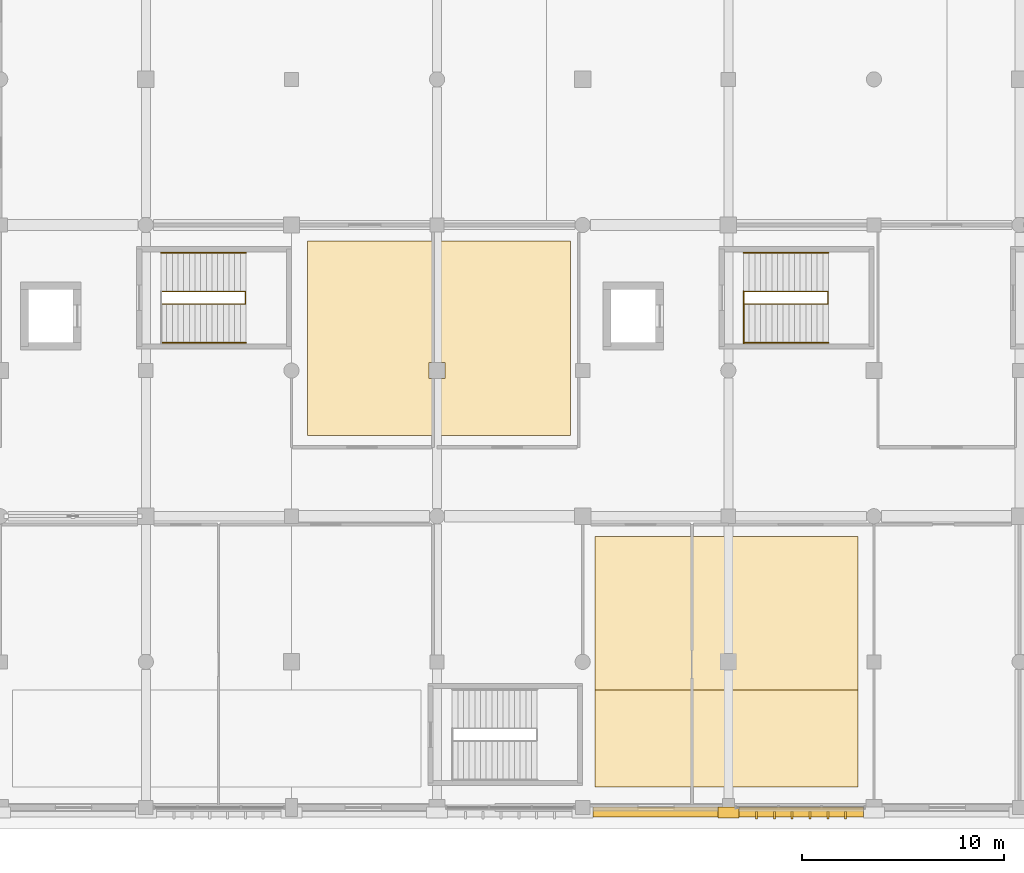
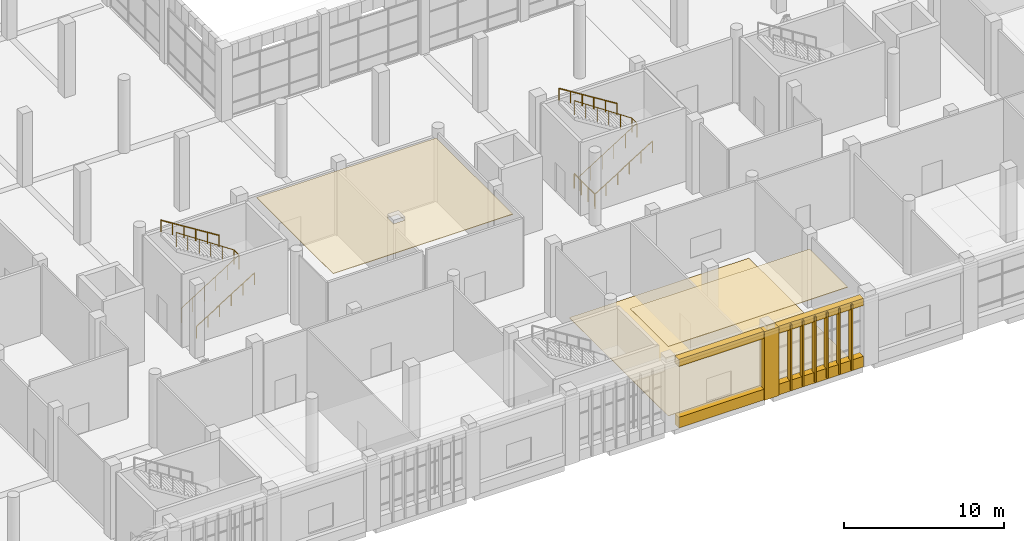
# One storey, part 65 of 80: 14 coverings, 7 railings.
"""IFC4 building model written with IfcOpenShell, lengths in metres."""

from ifc_helpers import new_model, si_unit, direction, frame, origin, origin_2d, place, context, subcontext, project, spatial, polyline, rectangle, circle, outline, extrude, material, layer, layer_set, type_object, element, save


model = new_model("IFC4")

# Units and contexts
model_context = context("Model", 3, precision=1e-05, world=origin(), true_north=direction((0.0, 1.0)))
body_context = subcontext(model_context, "Body", "Model", "MODEL_VIEW")
ifc_project = project(units=[si_unit("LENGTHUNIT", "METRE"), si_unit("AREAUNIT", "SQUARE_METRE"), si_unit("VOLUMEUNIT", "CUBIC_METRE"), si_unit("PLANEANGLEUNIT", "RADIAN"), si_unit("MASSUNIT", "GRAM", prefix="KILO")], contexts=[model_context])

# Site, building, storey
site_placement = place(None, origin())
site = spatial("IfcSite", under=ifc_project, at=site_placement, CompositionType="ELEMENT")
building_placement = place(site_placement, origin())
building = spatial("IfcBuilding", under=site, at=building_placement, Name="Sardonyx Promenade Sports Hall", CompositionType="ELEMENT")
storey_placement = place(building_placement, frame((0.0, 0.0, 5.60009765625)))
storey = spatial("IfcBuildingStorey", under=building, at=storey_placement, Name="L01", CompositionType="ELEMENT", Elevation=5.60009765625)

# Coverings
ifc_material_1 = material(Name="Perforated acoustic mineral-fibre baffle ceiling", Category="other")
ifc_layer_1 = layer(ifc_material_1, 0.0400390625)
ifc_layer_set_1 = layer_set([ifc_layer_1], Name="Cov_Ceil_Acoustic")
covering_type_1 = type_object("IfcCoveringType", Name="Cov_Ceil_Acoustic", PredefinedType="CEILING", material=ifc_layer_set_1)
covering_1_placement = place(storey_placement, frame((0.0, 0.0, 5.289794921875)))
element("IfcCovering", 1, at=covering_1_placement, inside=storey, type_object=covering_type_1, Name="Acoustic baffle ceiling CLG1 L01 #9", PredefinedType="CEILING", context=body_context, shape_type="SweptSolid", body=[
    extrude(outline(polyline([(51.0, 5.800048828125), (51.0, 1.0), (64.0, 1.0), (64.0, 5.800048828125), (51.0, 5.800048828125)])), origin(), (0.0, 0.0, 1.0), 0.0400390625),
])
covering_2_placement = place(storey_placement, frame((0.0, 0.0, 5.289794921875)))
element("IfcCovering", 2, at=covering_2_placement, inside=storey, type_object=covering_type_1, Name="Acoustic baffle ceiling CLG1 L01 #13", PredefinedType="CEILING", context=body_context, shape_type="SweptSolid", body=[
    extrude(outline(polyline([(36.800048828125, 28.0), (36.800048828125, 18.39990234375), (49.800048828125, 18.39990234375), (49.800048828125, 28.0), (36.800048828125, 28.0)]), holes=[polyline([(43.60009765625, 22.0), (43.60009765625, 21.199951171875), (42.800048828125, 21.199951171875), (42.800048828125, 22.0), (43.60009765625, 22.0)])]), origin(), (0.0, 0.0, 1.0), 0.0400390625),
])
ifc_material_2 = material(Name="Dressed Cape red sandstone ashlar", Category="masonry")
ifc_layer_2 = layer(ifc_material_2, 0.06005859375)
ifc_layer_set_2 = layer_set([ifc_layer_2], Name="Cov_Cladding_Sandstone")
covering_type_2 = type_object("IfcCoveringType", Name="Cov_Cladding_Sandstone", PredefinedType="CLADDING", material=ifc_layer_set_2)
covering_3_placement = place(storey_placement, origin())
element("IfcCovering", 3, at=covering_3_placement, inside=storey, type_object=covering_type_2, Name="South sandstone bay pier casing L01 #8", PredefinedType="CLADDING", context=body_context, shape_type="SweptSolid", body=[
    extrude(outline(polyline([(57.080078125, -0.52001953125), (58.1201171875, -0.52001953125), (58.1201171875, 0.02001953125), (57.080078125, 0.02001953125), (57.080078125, -0.52001953125)])), origin(), (0.0, 0.0, 1.0), 5.25),
])
covering_4_placement = place(storey_placement, origin())
element("IfcCovering", 4, at=covering_4_placement, inside=storey, type_object=covering_type_2, Name="South sandstone sill spandrel L01 #14", PredefinedType="CLADDING", context=body_context, shape_type="SweptSolid", body=[
    extrude(outline(polyline([(58.1201171875, -0.4599609375), (64.280029296875, -0.4599609375), (64.280029296875, 0.02001953125), (58.1201171875, 0.02001953125), (58.1201171875, -0.4599609375)])), origin(), (0.0, 0.0, 1.0), 0.81982421875),
])
covering_5_placement = place(storey_placement, frame((0.0, 0.0, 4.699951171875)))
element("IfcCovering", 5, at=covering_5_placement, inside=storey, type_object=covering_type_2, Name="South sandstone lintel frieze L01 #14", PredefinedType="CLADDING", context=body_context, shape_type="SweptSolid", body=[
    extrude(outline(polyline([(58.1201171875, -0.4599609375), (64.280029296875, -0.4599609375), (64.280029296875, 0.02001953125), (58.1201171875, 0.02001953125), (58.1201171875, -0.4599609375)])), origin(), (0.0, 0.0, 1.0), 0.550048828125),
])
covering_6_placement = place(storey_placement, origin())
element("IfcCovering", 6, at=covering_6_placement, inside=storey, type_object=covering_type_2, Name="South sandstone sill spandrel L01 #15", PredefinedType="CLADDING", context=body_context, shape_type="SweptSolid", body=[
    extrude(outline(polyline([(50.919921875, -0.4599609375), (57.080078125, -0.4599609375), (57.080078125, 0.02001953125), (50.919921875, 0.02001953125), (50.919921875, -0.4599609375)])), origin(), (0.0, 0.0, 1.0), 0.81982421875),
])
covering_7_placement = place(storey_placement, frame((0.0, 0.0, 4.699951171875)))
element("IfcCovering", 7, at=covering_7_placement, inside=storey, type_object=covering_type_2, Name="South sandstone lintel frieze L01 #15", PredefinedType="CLADDING", context=body_context, shape_type="SweptSolid", body=[
    extrude(outline(polyline([(50.919921875, -0.4599609375), (57.080078125, -0.4599609375), (57.080078125, 0.02001953125), (50.919921875, 0.02001953125), (50.919921875, -0.4599609375)])), origin(), (0.0, 0.0, 1.0), 0.550048828125),
])
ifc_material_3 = material(Name="EPDM polymeric athletic surfacing", Category="other")
ifc_layer_3 = layer(ifc_material_3, 0.02490234375)
ifc_layer_set_3 = layer_set([ifc_layer_3], Name="Cov_Floor_Athletic")
covering_type_3 = type_object("IfcCoveringType", Name="Cov_Floor_Athletic", PredefinedType="FLOORING", material=ifc_layer_set_3)
covering_8_placement = place(storey_placement, origin())
element("IfcCovering", 8, at=covering_8_placement, inside=storey, type_object=covering_type_3, Name="Athletic flooring FLR2 L01 #15", PredefinedType="FLOORING", context=body_context, shape_type="SweptSolid", body=[
    extrude(outline(polyline([(51.0, 1.0), (64.0, 1.0), (64.0, 13.39990234375), (51.0, 13.39990234375), (51.0, 1.0)])), origin(), (0.0, 0.0, 1.0), 0.02490234375),
])
ifc_material_4 = material(Name="Glulam GL28h", Category="wood")
ifc_layer_4 = layer(ifc_material_4, 0.110107421875)
ifc_layer_set_4 = layer_set([ifc_layer_4], Name="Cov_Louvre_GL28h")
covering_type_4 = type_object("IfcCoveringType", Name="Cov_Louvre_GL28h", PredefinedType="MOLDING", material=ifc_layer_set_4)
for number, where, z_axis, x_axis, name in (
    (9, (59.0, -0.3798828125, 0.10009765625), (0.0, 0.0, 1.0), (1.0, 0.0, 0.0), "Mughal jali screen mullion L01 #14-1"),
    (10, (59.8798828125, -0.3798828125, 0.10009765625), (0.0, 0.0, 1.0), (1.0, 0.0, 0.0), "Mughal jali screen mullion L01 #14-2"),
    (11, (60.760009765625, -0.3798828125, 0.10009765625), (0.0, 0.0, 1.0), (1.0, 0.0, 0.0), "Mughal jali screen mullion L01 #14-3"),
    (12, (61.639892578125, -0.3798828125, 0.10009765625), (0.0, 0.0, 1.0), (1.0, 0.0, 0.0), "Mughal jali screen mullion L01 #14-4"),
    (13, (62.52001953125, -0.3798828125, 0.10009765625), (0.0, 0.0, 1.0), (1.0, 0.0, 0.0), "Mughal jali screen mullion L01 #14-5"),
    (14, (63.39990234375, -0.3798828125, 0.10009765625), (0.0, 0.0, 1.0), (1.0, 0.0, 0.0), "Mughal jali screen mullion L01 #14-6"),
):
    element("IfcCovering", number, at=place(storey_placement, frame(where, z_axis=z_axis, x_axis=x_axis)), inside=storey, type_object=covering_type_4, Name=name, PredefinedType="MOLDING", context=body_context, shape_type="SweptSolid", body=[
        extrude(rectangle(XDim=0.10009765625, YDim=0.360107421875, at=origin_2d()), origin(), (0.0, 0.0, 1.0), 5.050048828125),
    ])

# Railings
ifc_material_5 = material(Name="Powder-coated Steel S355JR", Category="steel")
railing_type_1 = type_object("IfcRailingType", Name="Rail_Int_Guard_1100", PredefinedType="GUARDRAIL", material=ifc_material_5)
railing_1_placement = place(storey_placement, frame((29.550048828125, 24.885009765625, 0.1748046875)))
element("IfcRailing", 15, at=railing_1_placement, inside=storey, type_object=railing_type_1, Name="Stair inner well guard ST1 L01", PredefinedType="GUARDRAIL", context=body_context, shape_type="SweptSolid", body=[
    extrude(circle(Radius=0.02392578125, at=origin_2d()), frame((0.0, 0.0, 1.09619140625), z_axis=(0.846854242419, 0.0, 0.531825057794), x_axis=(0.0, 1.0, 0.0)), (0.0, 0.0, 1.0), 4.935791015625),
    extrude(circle(Radius=0.02392578125, at=origin_2d()), frame((4.179931640625, 0.0, 3.72119140625), z_axis=(0.0, 1.0, 0.0), x_axis=(-1.0, 0.0, 0.0)), (0.0, 0.0, 1.0), 0.6298828125),
    extrude(circle(Radius=0.02392578125, at=origin_2d()), frame((4.179931640625, 0.6298828125, 3.72119140625), z_axis=(-0.830816424754, 0.0, 0.556546555429), x_axis=(0.0, -1.0, 0.0)), (0.0, 0.0, 1.0), 5.031005859375),
    extrude(circle(Radius=0.02099609375, at=origin_2d()), origin(), (0.0, 0.0, 1.0), 1.072021484375),
    extrude(circle(Radius=0.02099609375, at=origin_2d()), frame((0.8359375, 0.0, 0.52490234375)), (0.0, 0.0, 1.0), 1.072021484375),
    extrude(circle(Radius=0.02099609375, at=origin_2d()), frame((1.671875, 0.0, 1.050048828125)), (0.0, 0.0, 1.0), 1.072021484375),
    extrude(circle(Radius=0.02099609375, at=origin_2d()), frame((2.508056640625, 0.0, 1.574951171875)), (0.0, 0.0, 1.0), 1.072021484375),
    extrude(circle(Radius=0.02099609375, at=origin_2d()), frame((3.343994140625, 0.0, 2.10009765625)), (0.0, 0.0, 1.0), 1.072021484375),
    extrude(circle(Radius=0.02099609375, at=origin_2d()), frame((4.179931640625, 0.0, 2.625)), (0.0, 0.0, 1.0), 1.072021484375),
    extrude(circle(Radius=0.02099609375, at=origin_2d()), frame((4.179931640625, 0.6298828125, 2.625)), (0.0, 0.0, 1.0), 1.072021484375),
    extrude(circle(Radius=0.02099609375, at=origin_2d()), frame((3.343994140625, 0.6298828125, 3.18505859375)), (0.0, 0.0, 1.0), 1.072021484375),
    extrude(circle(Radius=0.02099609375, at=origin_2d()), frame((2.508056640625, 0.6298828125, 3.7451171875)), (0.0, 0.0, 1.0), 1.072021484375),
    extrude(circle(Radius=0.02099609375, at=origin_2d()), frame((1.671875, 0.6298828125, 4.304931640625)), (0.0, 0.0, 1.0), 1.072021484375),
    extrude(circle(Radius=0.02099609375, at=origin_2d()), frame((0.8359375, 0.6298828125, 4.864990234375)), (0.0, 0.0, 1.0), 1.072021484375),
    extrude(circle(Radius=0.02099609375, at=origin_2d()), frame((0.0, 0.6298828125, 5.425048828125)), (0.0, 0.0, 1.0), 1.072021484375),
])
railing_2_placement = place(storey_placement, frame((58.360107421875, 22.945068359375, 0.0)))
element("IfcRailing", 16, at=railing_2_placement, inside=storey, type_object=railing_type_1, Name="Stair floor-edge guard ST3 L01", PredefinedType="GUARDRAIL", context=body_context, shape_type="SweptSolid", body=[
    extrude(circle(Radius=0.02392578125, at=origin_2d()), frame((0.0, 0.0, 1.09619140625), z_axis=(0.0, 1.0, 0.0), x_axis=(-1.0, 0.0, 0.0)), (0.0, 0.0, 1.0), 2.56982421875),
    extrude(circle(Radius=0.02392578125, at=origin_2d()), frame((0.0, 2.56982421875, 1.09619140625), z_axis=(-1.0, 0.0, 0.0), x_axis=(0.0, -1.0, 0.0)), (0.0, 0.0, 1.0), 0.010009765625),
    extrude(circle(Radius=0.02099609375, at=origin_2d()), origin(), (0.0, 0.0, 1.0), 1.072021484375),
    extrude(circle(Radius=0.02099609375, at=origin_2d()), frame((0.0, 0.856689453125, 0.0)), (0.0, 0.0, 1.0), 1.072021484375),
    extrude(circle(Radius=0.02099609375, at=origin_2d()), frame((0.0, 1.713134765625, 0.0)), (0.0, 0.0, 1.0), 1.072021484375),
    extrude(circle(Radius=0.02099609375, at=origin_2d()), frame((0.0, 2.56982421875, 0.0)), (0.0, 0.0, 1.0), 1.072021484375),
    extrude(circle(Radius=0.02099609375, at=origin_2d()), frame((-0.010009765625, 2.56982421875, 0.0)), (0.0, 0.0, 1.0), 1.072021484375),
])
railing_3_placement = place(storey_placement, frame((58.35009765625, 24.885009765625, 0.1748046875)))
element("IfcRailing", 17, at=railing_3_placement, inside=storey, type_object=railing_type_1, Name="Stair inner well guard ST3 L01", PredefinedType="GUARDRAIL", context=body_context, shape_type="SweptSolid", body=[
    extrude(circle(Radius=0.02392578125, at=origin_2d()), frame((0.0, 0.0, 1.09619140625), z_axis=(0.846854242419, 0.0, 0.531825057794), x_axis=(0.0, 1.0, 0.0)), (0.0, 0.0, 1.0), 4.935791015625),
    extrude(circle(Radius=0.02392578125, at=origin_2d()), frame((4.179931640625, 0.0, 3.72119140625), z_axis=(0.0, 1.0, 0.0), x_axis=(-1.0, 0.0, 0.0)), (0.0, 0.0, 1.0), 0.6298828125),
    extrude(circle(Radius=0.02392578125, at=origin_2d()), frame((4.179931640625, 0.6298828125, 3.72119140625), z_axis=(-0.830816424754, 0.0, 0.556546555429), x_axis=(0.0, -1.0, 0.0)), (0.0, 0.0, 1.0), 5.031005859375),
    extrude(circle(Radius=0.02099609375, at=origin_2d()), origin(), (0.0, 0.0, 1.0), 1.072021484375),
    extrude(circle(Radius=0.02099609375, at=origin_2d()), frame((0.8359375, 0.0, 0.52490234375)), (0.0, 0.0, 1.0), 1.072021484375),
    extrude(circle(Radius=0.02099609375, at=origin_2d()), frame((1.671875, 0.0, 1.050048828125)), (0.0, 0.0, 1.0), 1.072021484375),
    extrude(circle(Radius=0.02099609375, at=origin_2d()), frame((2.508056640625, 0.0, 1.574951171875)), (0.0, 0.0, 1.0), 1.072021484375),
    extrude(circle(Radius=0.02099609375, at=origin_2d()), frame((3.343994140625, 0.0, 2.10009765625)), (0.0, 0.0, 1.0), 1.072021484375),
    extrude(circle(Radius=0.02099609375, at=origin_2d()), frame((4.179931640625, 0.0, 2.625)), (0.0, 0.0, 1.0), 1.072021484375),
    extrude(circle(Radius=0.02099609375, at=origin_2d()), frame((4.179931640625, 0.6298828125, 2.625)), (0.0, 0.0, 1.0), 1.072021484375),
    extrude(circle(Radius=0.02099609375, at=origin_2d()), frame((3.343994140625, 0.6298828125, 3.18505859375)), (0.0, 0.0, 1.0), 1.072021484375),
    extrude(circle(Radius=0.02099609375, at=origin_2d()), frame((2.508056640625, 0.6298828125, 3.7451171875)), (0.0, 0.0, 1.0), 1.072021484375),
    extrude(circle(Radius=0.02099609375, at=origin_2d()), frame((1.671875, 0.6298828125, 4.304931640625)), (0.0, 0.0, 1.0), 1.072021484375),
    extrude(circle(Radius=0.02099609375, at=origin_2d()), frame((0.8359375, 0.6298828125, 4.864990234375)), (0.0, 0.0, 1.0), 1.072021484375),
    extrude(circle(Radius=0.02099609375, at=origin_2d()), frame((0.0, 0.6298828125, 5.425048828125)), (0.0, 0.0, 1.0), 1.072021484375),
])
ifc_material_6 = material(Name="Brushed stainless steel Grade 304", Category="steel")
railing_type_2 = type_object("IfcRailingType", Name="Rail_Int_Handrail_900", PredefinedType="HANDRAIL", material=ifc_material_6)
railing_4_placement = place(storey_placement, frame((29.550048828125, 22.97509765625, 0.1748046875)))
element("IfcRailing", 18, at=railing_4_placement, inside=storey, type_object=railing_type_2, Name="Stair handrail ST1 L01 F1", PredefinedType="HANDRAIL", context=body_context, shape_type="SweptSolid", body=[
    extrude(circle(Radius=0.02392578125, at=origin_2d()), frame((0.0, 0.0, 0.8759765625), z_axis=(0.847995534698, 0.0, 0.530003370869), x_axis=(0.0, 1.0, 0.0)), (0.0, 0.0, 1.0), 4.952880859375),
    extrude(circle(Radius=0.02099609375, at=origin_2d()), origin(), (0.0, 0.0, 1.0), 0.851806640625),
    extrude(circle(Radius=0.02099609375, at=origin_2d()), frame((0.840087890625, 0.0, 0.52490234375)), (0.0, 0.0, 1.0), 0.851806640625),
    extrude(circle(Radius=0.02099609375, at=origin_2d()), frame((1.679931640625, 0.0, 1.050048828125)), (0.0, 0.0, 1.0), 0.851806640625),
    extrude(circle(Radius=0.02099609375, at=origin_2d()), frame((2.52001953125, 0.0, 1.574951171875)), (0.0, 0.0, 1.0), 0.851806640625),
    extrude(circle(Radius=0.02099609375, at=origin_2d()), frame((3.35986328125, 0.0, 2.10009765625)), (0.0, 0.0, 1.0), 0.851806640625),
    extrude(circle(Radius=0.02099609375, at=origin_2d()), frame((4.199951171875, 0.0, 2.625)), (0.0, 0.0, 1.0), 0.851806640625),
])
railing_5_placement = place(storey_placement, frame((33.75, 27.425048828125, 2.974853515625)))
element("IfcRailing", 19, at=railing_5_placement, inside=storey, type_object=railing_type_2, Name="Stair handrail ST1 L01 F2", PredefinedType="HANDRAIL", context=body_context, shape_type="SweptSolid", body=[
    extrude(circle(Radius=0.02392578125, at=origin_2d()), frame((0.0, 0.0, 0.8759765625), z_axis=(-0.847995534698, 0.0, 0.530003370869), x_axis=(0.0, -1.0, 0.0)), (0.0, 0.0, 1.0), 4.952880859375),
    extrude(circle(Radius=0.02099609375, at=origin_2d()), origin(), (0.0, 0.0, 1.0), 0.851806640625),
    extrude(circle(Radius=0.02099609375, at=origin_2d()), frame((-0.840087890625, 0.0, 0.52490234375)), (0.0, 0.0, 1.0), 0.851806640625),
    extrude(circle(Radius=0.02099609375, at=origin_2d()), frame((-1.679931640625, 0.0, 1.050048828125)), (0.0, 0.0, 1.0), 0.851806640625),
    extrude(circle(Radius=0.02099609375, at=origin_2d()), frame((-2.52001953125, 0.0, 1.574951171875)), (0.0, 0.0, 1.0), 0.851806640625),
    extrude(circle(Radius=0.02099609375, at=origin_2d()), frame((-3.35986328125, 0.0, 2.10009765625)), (0.0, 0.0, 1.0), 0.851806640625),
    extrude(circle(Radius=0.02099609375, at=origin_2d()), frame((-4.199951171875, 0.0, 2.625)), (0.0, 0.0, 1.0), 0.851806640625),
])
railing_6_placement = place(storey_placement, frame((58.35009765625, 22.97509765625, 0.1748046875)))
element("IfcRailing", 20, at=railing_6_placement, inside=storey, type_object=railing_type_2, Name="Stair handrail ST3 L01 F1", PredefinedType="HANDRAIL", context=body_context, shape_type="SweptSolid", body=[
    extrude(circle(Radius=0.02392578125, at=origin_2d()), frame((0.0, 0.0, 0.8759765625), z_axis=(0.847995534698, 0.0, 0.530003370869), x_axis=(0.0, 1.0, 0.0)), (0.0, 0.0, 1.0), 4.952880859375),
    extrude(circle(Radius=0.02099609375, at=origin_2d()), origin(), (0.0, 0.0, 1.0), 0.851806640625),
    extrude(circle(Radius=0.02099609375, at=origin_2d()), frame((0.840087890625, 0.0, 0.52490234375)), (0.0, 0.0, 1.0), 0.851806640625),
    extrude(circle(Radius=0.02099609375, at=origin_2d()), frame((1.679931640625, 0.0, 1.050048828125)), (0.0, 0.0, 1.0), 0.851806640625),
    extrude(circle(Radius=0.02099609375, at=origin_2d()), frame((2.52001953125, 0.0, 1.574951171875)), (0.0, 0.0, 1.0), 0.851806640625),
    extrude(circle(Radius=0.02099609375, at=origin_2d()), frame((3.35986328125, 0.0, 2.10009765625)), (0.0, 0.0, 1.0), 0.851806640625),
    extrude(circle(Radius=0.02099609375, at=origin_2d()), frame((4.199951171875, 0.0, 2.625)), (0.0, 0.0, 1.0), 0.851806640625),
])
railing_7_placement = place(storey_placement, frame((62.550048828125, 27.425048828125, 2.974853515625)))
element("IfcRailing", 21, at=railing_7_placement, inside=storey, type_object=railing_type_2, Name="Stair handrail ST3 L01 F2", PredefinedType="HANDRAIL", context=body_context, shape_type="SweptSolid", body=[
    extrude(circle(Radius=0.02392578125, at=origin_2d()), frame((0.0, 0.0, 0.8759765625), z_axis=(-0.847995534698, 0.0, 0.530003370869), x_axis=(0.0, -1.0, 0.0)), (0.0, 0.0, 1.0), 4.952880859375),
    extrude(circle(Radius=0.02099609375, at=origin_2d()), origin(), (0.0, 0.0, 1.0), 0.851806640625),
    extrude(circle(Radius=0.02099609375, at=origin_2d()), frame((-0.840087890625, 0.0, 0.52490234375)), (0.0, 0.0, 1.0), 0.851806640625),
    extrude(circle(Radius=0.02099609375, at=origin_2d()), frame((-1.679931640625, 0.0, 1.050048828125)), (0.0, 0.0, 1.0), 0.851806640625),
    extrude(circle(Radius=0.02099609375, at=origin_2d()), frame((-2.52001953125, 0.0, 1.574951171875)), (0.0, 0.0, 1.0), 0.851806640625),
    extrude(circle(Radius=0.02099609375, at=origin_2d()), frame((-3.35986328125, 0.0, 2.10009765625)), (0.0, 0.0, 1.0), 0.851806640625),
    extrude(circle(Radius=0.02099609375, at=origin_2d()), frame((-4.199951171875, 0.0, 2.625)), (0.0, 0.0, 1.0), 0.851806640625),
])

save(model, "model.ifc")
